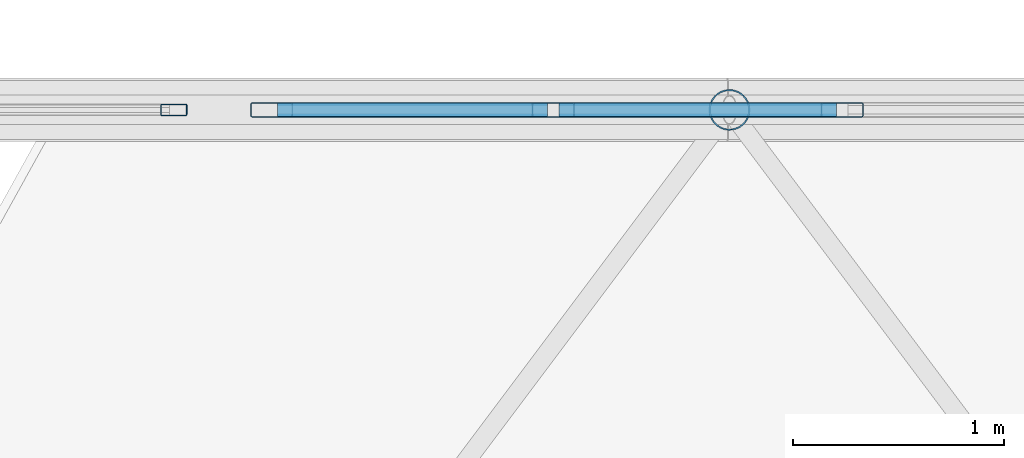
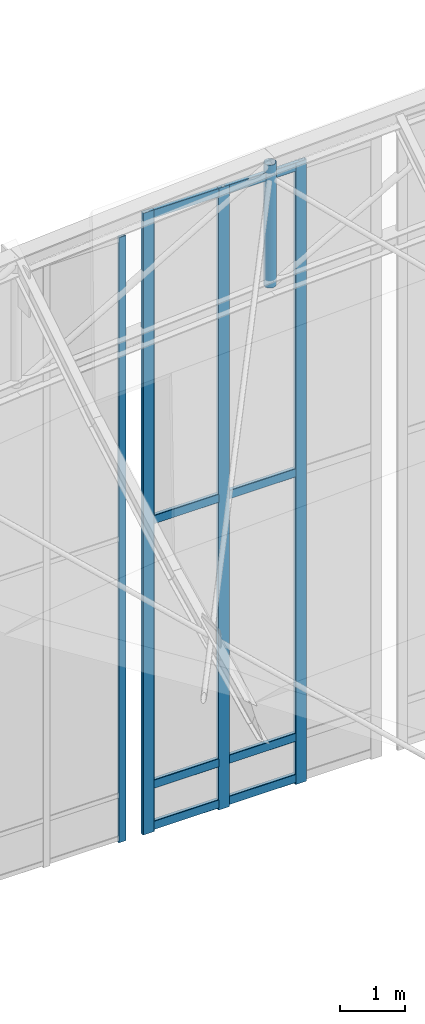
# One storey, part 190 of 262: 13 members, 2 elements without a shape of their own.
"""IFC4 building model written with IfcOpenShell, lengths in metres."""

from ifc_helpers import new_model, si_unit, derived_unit, direction, frame, origin, origin_2d, place, context, subcontext, project, spatial, hollow_rectangle, hollow_circle, extrude, material, layer, layer_set, material_profile, profile_set, type_object, element, aggregate, save


model = new_model("IFC4")

# Units and contexts
model_context = context("Model", 3, precision=1e-05, world=origin(), true_north=direction((0.0, 1.0)))
body_context = subcontext(model_context, "Body", "Model", "MODEL_VIEW")
ifc_project = project(units=[si_unit("LENGTHUNIT", "METRE"), si_unit("AREAUNIT", "SQUARE_METRE"), si_unit("VOLUMEUNIT", "CUBIC_METRE"), si_unit("PLANEANGLEUNIT", "RADIAN"), si_unit("MASSUNIT", "GRAM", prefix="KILO"), derived_unit("THERMALTRANSMITTANCEUNIT", [(si_unit("POWERUNIT", "WATT"), 1), (si_unit("LENGTHUNIT", "METRE"), -2), (si_unit("THERMODYNAMICTEMPERATUREUNIT", "KELVIN"), -1)])], contexts=[model_context])

# Site, building, storey
site_placement = place(None, origin())
site = spatial("IfcSite", under=ifc_project, at=site_placement, CompositionType="ELEMENT")
building_placement = place(site_placement, origin())
building = spatial("IfcBuilding", under=site, at=building_placement, Name="Almenara Railside Exhibition Hall", CompositionType="ELEMENT")
storey_placement = place(building_placement, frame((0.0, 0.0, 21.699951171875)))
storey = spatial("IfcBuildingStorey", under=building, at=storey_placement, Name="RF", CompositionType="ELEMENT", Elevation=21.699951171875)

# Curtain wall, member
ifc_material_1 = material(Name="Bronze-anodised aluminium and low-E double glazing", Category="aluminium")
ifc_layer = layer(ifc_material_1, 0.179931640625, Name="Bronze-anodised aluminium and low-E double glazing")
ifc_layer_set = layer_set([ifc_layer], Name="Bronze-anodised aluminium and low-E double glazing")
curtain_wall_type = type_object("IfcCurtainWallType", Name="Scroll Gable Tall Curtain Wall 3800x5400", PredefinedType="NOTDEFINED", material=ifc_layer_set)
curtain_wall_1_placement = place(storey_placement, origin())
curtain_wall_1 = element("IfcCurtainWall", 1, at=curtain_wall_1_placement, inside=storey, type_object=curtain_wall_type, Name="Curtain wall CW-G1-207", PredefinedType="NOTDEFINED")
ifc_material_2 = material(Name="Bronze-anodised aluminium", Category="aluminium")
ifc_material_profile_1 = material_profile(ifc_material_2, hollow_rectangle(XDim=0.054931640625, YDim=0.125, WallThickness=0.0029296875, InnerFilletRadius=0.0029296875, OuterFilletRadius=0.006103515625, at=origin_2d()), Name="ALU-MUL 55x125x3")
ifc_profile_set_1 = profile_set([ifc_material_profile_1], Name="Bronze-anodised aluminium")
member_type_1 = type_object("IfcMemberType", Name="Curtain Wall Mullion 55x125x3", PredefinedType="MULLION", material=ifc_profile_set_1)
member_1_placement = place(storey_placement, frame((27.37255859375, 132.0, -0.93505859375), z_axis=(0.0, 0.0, 1.0), x_axis=(0.0, 1.0, 0.0)))
member_1 = element("IfcMember", 2, at=member_1_placement, type_object=member_type_1, Name="CW-G1-207 mullion 4", PredefinedType="MULLION", context=body_context, shape_type="SweptSolid", body=[
    extrude(hollow_rectangle(XDim=0.054931640625, YDim=0.125, WallThickness=0.0029296875, InnerFilletRadius=0.0029296875, OuterFilletRadius=0.006103515625, at=origin_2d()), origin(), (0.0, 0.0, 1.0), 11.3251953125),
])
aggregate(curtain_wall_1, [member_1])

# Curtain wall, members
curtain_wall_2_placement = place(storey_placement, origin())
curtain_wall_2 = element("IfcCurtainWall", 3, at=curtain_wall_2_placement, inside=storey, type_object=curtain_wall_type, Name="Curtain wall CW-G1-208", PredefinedType="NOTDEFINED")
ifc_material_profile_2 = material_profile(ifc_material_2, hollow_rectangle(XDim=0.070068359375, YDim=0.199951171875, WallThickness=0.00439453125, InnerFilletRadius=0.00439453125, OuterFilletRadius=0.009033203125, at=origin_2d()), Name="ALU-MUL 70x200x4.5")
ifc_profile_set_2 = profile_set([ifc_material_profile_2], Name="Bronze-anodised aluminium")
member_type_2 = type_object("IfcMemberType", Name="Curtain Wall Mullion 70x200x4.5", PredefinedType="MULLION", material=ifc_profile_set_2)
member_2_placement = place(storey_placement, frame((27.8349609375, 132.0, -0.93505859375), z_axis=(0.0, 0.0, 1.0), x_axis=(0.0, 1.0, 0.0)))
member_2 = element("IfcMember", 4, at=member_2_placement, type_object=member_type_2, Name="CW-G1-208 mullion 1", PredefinedType="MULLION", context=body_context, shape_type="SweptSolid", body=[
    extrude(hollow_rectangle(XDim=0.070068359375, YDim=0.199951171875, WallThickness=0.00439453125, InnerFilletRadius=0.00439453125, OuterFilletRadius=0.009033203125, at=origin_2d()), origin(), (0.0, 0.0, 1.0), 11.635009765625),
])
member_3_placement = place(storey_placement, frame((29.166748046875, 132.0, -0.93505859375), z_axis=(0.0, 0.0, 1.0), x_axis=(0.0, 1.0, 0.0)))
member_3 = element("IfcMember", 5, at=member_3_placement, type_object=member_type_2, Name="CW-G1-208 mullion 2", PredefinedType="MULLION", context=body_context, shape_type="SweptSolid", body=[
    extrude(hollow_rectangle(XDim=0.070068359375, YDim=0.199951171875, WallThickness=0.00439453125, InnerFilletRadius=0.00439453125, OuterFilletRadius=0.009033203125, at=origin_2d()), origin(), (0.0, 0.0, 1.0), 11.635009765625),
])
member_4_placement = place(storey_placement, frame((30.533447265625, 132.0, -0.93505859375), z_axis=(0.0, 0.0, 1.0), x_axis=(0.0, 1.0, 0.0)))
member_4 = element("IfcMember", 6, at=member_4_placement, type_object=member_type_2, Name="CW-G1-208 mullion 3", PredefinedType="MULLION", context=body_context, shape_type="SweptSolid", body=[
    extrude(hollow_rectangle(XDim=0.070068359375, YDim=0.199951171875, WallThickness=0.00439453125, InnerFilletRadius=0.00439453125, OuterFilletRadius=0.009033203125, at=origin_2d()), origin(), (0.0, 0.0, 1.0), 11.635009765625),
])
ifc_material_profile_3 = material_profile(ifc_material_2, hollow_rectangle(XDim=0.070068359375, YDim=0.159912109375, WallThickness=0.00390625, InnerFilletRadius=0.00390625, OuterFilletRadius=0.008056640625, at=origin_2d()), Name="ALU-TRN 70x160x4")
ifc_profile_set_3 = profile_set([ifc_material_profile_3], Name="Bronze-anodised aluminium")
member_type_3 = type_object("IfcMemberType", Name="Curtain Wall Transom 70x160x4", PredefinedType="USERDEFINED", material=ifc_profile_set_3)
member_5_placement = place(storey_placement, frame((27.862060546875, 132.0, -0.820068359375), z_axis=(1.0, 0.0, 0.0), x_axis=(0.0, 1.0, 0.0)))
member_5 = element("IfcMember", 7, at=member_5_placement, type_object=member_type_3, Name="CW-G1-208 transom 1.1", ObjectType="TRANSOM", PredefinedType="USERDEFINED", context=body_context, shape_type="SweptSolid", body=[
    extrude(hollow_rectangle(XDim=0.070068359375, YDim=0.159912109375, WallThickness=0.00390625, InnerFilletRadius=0.00390625, OuterFilletRadius=0.008056640625, at=origin_2d()), origin(), (0.0, 0.0, 1.0), 1.277587890625),
])
member_6_placement = place(storey_placement, frame((27.862060546875, 132.0, -0.050048828125), z_axis=(1.0, 0.0, 0.0), x_axis=(0.0, 1.0, 0.0)))
member_6 = element("IfcMember", 8, at=member_6_placement, type_object=member_type_3, Name="CW-G1-208 transom 1.2", ObjectType="TRANSOM", PredefinedType="USERDEFINED", context=body_context, shape_type="SweptSolid", body=[
    extrude(hollow_rectangle(XDim=0.070068359375, YDim=0.159912109375, WallThickness=0.00390625, InnerFilletRadius=0.00390625, OuterFilletRadius=0.008056640625, at=origin_2d()), origin(), (0.0, 0.0, 1.0), 1.277587890625),
])
member_7_placement = place(storey_placement, frame((27.862060546875, 132.0, 4.900146484375), z_axis=(1.0, 0.0, 0.0), x_axis=(0.0, 1.0, 0.0)))
member_7 = element("IfcMember", 9, at=member_7_placement, type_object=member_type_3, Name="CW-G1-208 transom 1.3", ObjectType="TRANSOM", PredefinedType="USERDEFINED", context=body_context, shape_type="SweptSolid", body=[
    extrude(hollow_rectangle(XDim=0.070068359375, YDim=0.159912109375, WallThickness=0.00390625, InnerFilletRadius=0.00390625, OuterFilletRadius=0.008056640625, at=origin_2d()), origin(), (0.0, 0.0, 1.0), 1.277587890625),
])
member_8_placement = place(storey_placement, frame((27.862060546875, 132.0, 10.6201171875), z_axis=(1.0, 0.0, 0.0), x_axis=(0.0, 1.0, 0.0)))
member_8 = element("IfcMember", 10, at=member_8_placement, type_object=member_type_3, Name="CW-G1-208 transom 1.4", ObjectType="TRANSOM", PredefinedType="USERDEFINED", context=body_context, shape_type="SweptSolid", body=[
    extrude(hollow_rectangle(XDim=0.070068359375, YDim=0.159912109375, WallThickness=0.00390625, InnerFilletRadius=0.00390625, OuterFilletRadius=0.008056640625, at=origin_2d()), origin(), (0.0, 0.0, 1.0), 1.277587890625),
])
member_9_placement = place(storey_placement, frame((29.193603515625, 132.0, -0.820068359375), z_axis=(1.0, 0.0, 0.0), x_axis=(0.0, 1.0, 0.0)))
member_9 = element("IfcMember", 11, at=member_9_placement, type_object=member_type_3, Name="CW-G1-208 transom 2.1", ObjectType="TRANSOM", PredefinedType="USERDEFINED", context=body_context, shape_type="SweptSolid", body=[
    extrude(hollow_rectangle(XDim=0.070068359375, YDim=0.159912109375, WallThickness=0.00390625, InnerFilletRadius=0.00390625, OuterFilletRadius=0.008056640625, at=origin_2d()), origin(), (0.0, 0.0, 1.0), 1.312744140625),
])
member_10_placement = place(storey_placement, frame((29.193603515625, 132.0, -0.050048828125), z_axis=(1.0, 0.0, 0.0), x_axis=(0.0, 1.0, 0.0)))
member_10 = element("IfcMember", 12, at=member_10_placement, type_object=member_type_3, Name="CW-G1-208 transom 2.2", ObjectType="TRANSOM", PredefinedType="USERDEFINED", context=body_context, shape_type="SweptSolid", body=[
    extrude(hollow_rectangle(XDim=0.070068359375, YDim=0.159912109375, WallThickness=0.00390625, InnerFilletRadius=0.00390625, OuterFilletRadius=0.008056640625, at=origin_2d()), origin(), (0.0, 0.0, 1.0), 1.312744140625),
])
member_11_placement = place(storey_placement, frame((29.193603515625, 132.0, 4.900146484375), z_axis=(1.0, 0.0, 0.0), x_axis=(0.0, 1.0, 0.0)))
member_11 = element("IfcMember", 13, at=member_11_placement, type_object=member_type_3, Name="CW-G1-208 transom 2.3", ObjectType="TRANSOM", PredefinedType="USERDEFINED", context=body_context, shape_type="SweptSolid", body=[
    extrude(hollow_rectangle(XDim=0.070068359375, YDim=0.159912109375, WallThickness=0.00390625, InnerFilletRadius=0.00390625, OuterFilletRadius=0.008056640625, at=origin_2d()), origin(), (0.0, 0.0, 1.0), 1.312744140625),
])
member_12_placement = place(storey_placement, frame((29.193603515625, 132.0, 10.6201171875), z_axis=(1.0, 0.0, 0.0), x_axis=(0.0, 1.0, 0.0)))
member_12 = element("IfcMember", 14, at=member_12_placement, type_object=member_type_3, Name="CW-G1-208 transom 2.4", ObjectType="TRANSOM", PredefinedType="USERDEFINED", context=body_context, shape_type="SweptSolid", body=[
    extrude(hollow_rectangle(XDim=0.070068359375, YDim=0.159912109375, WallThickness=0.00390625, InnerFilletRadius=0.00390625, OuterFilletRadius=0.008056640625, at=origin_2d()), origin(), (0.0, 0.0, 1.0), 1.312744140625),
])
aggregate(curtain_wall_2, [member_2, member_3, member_4, member_5, member_6, member_7, member_8, member_9, member_10, member_11, member_12])

# Member
ifc_material_3 = material(Name="Structural steel S355JR", Category="steel")
ifc_material_profile_4 = material_profile(ifc_material_3, hollow_circle(Radius=0.096923828125, WallThickness=0.00634765625, at=origin_2d()), Name="CHS 193.7x6.3")
ifc_profile_set_4 = profile_set([ifc_material_profile_4], Name="Structural steel S355JR")
member_type_4 = type_object("IfcMemberType", Name="Truss Standard Vertical Strut CHS 193.7x6.3 S355JR", PredefinedType="BRACE", material=ifc_profile_set_4)
member_13_placement = place(storey_placement, frame((30.0, 132.0, 8.5556640625), z_axis=(0.0, 0.0, 1.0), x_axis=(1.0, 0.0, 0.0)))
element("IfcMember", 15, at=member_13_placement, inside=storey, type_object=member_type_4, Name="MEM-TV-V1-07-04", PredefinedType="BRACE", context=body_context, shape_type="SweptSolid", body=[
    extrude(hollow_circle(Radius=0.096923828125, WallThickness=0.00634765625, at=origin_2d()), origin(), (0.0, 0.0, 1.0), 2.300048828125),
])

save(model, "model.ifc")
